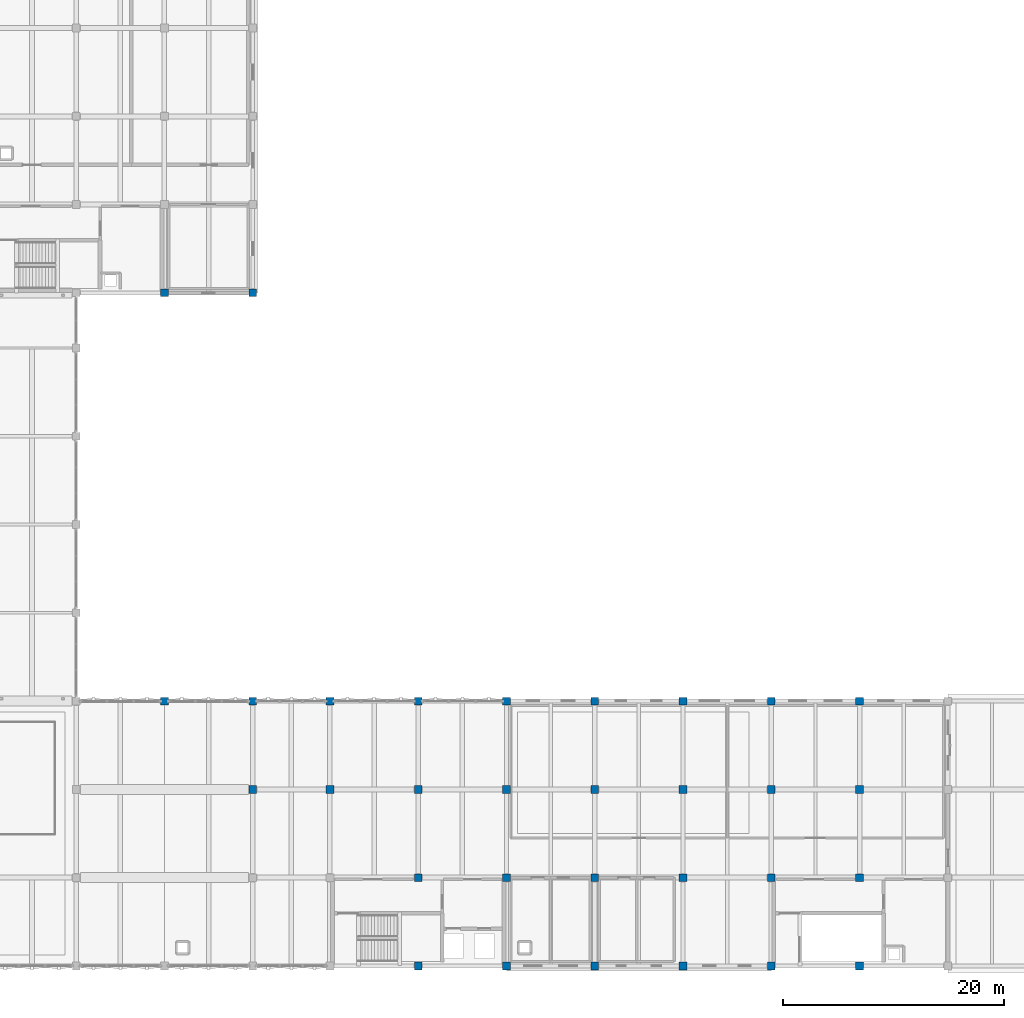
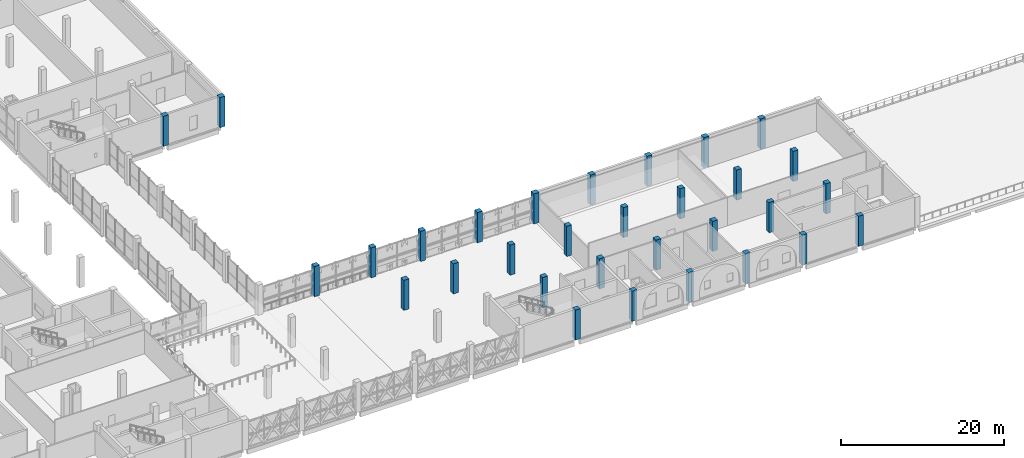
# One storey, part 2 of 45: 31 columns.
"""IFC4 building model written with IfcOpenShell, lengths in metres."""

from ifc_helpers import new_model, si_unit, direction, frame, origin, origin_2d, place, context, subcontext, project, spatial, rectangle, extrude, material, material_profile, profile_set, type_object, element, save


model = new_model("IFC4")

# Units and contexts
model_context = context("Model", 3, precision=1e-05, world=origin(), true_north=direction((0.0, 1.0)))
body_context = subcontext(model_context, "Body", "Model", "MODEL_VIEW")
ifc_project = project(units=[si_unit("LENGTHUNIT", "METRE"), si_unit("AREAUNIT", "SQUARE_METRE"), si_unit("VOLUMEUNIT", "CUBIC_METRE"), si_unit("PLANEANGLEUNIT", "RADIAN"), si_unit("MASSUNIT", "GRAM", prefix="KILO")], contexts=[model_context])

# Site, building, storey
site_placement = place(None, origin())
site = spatial("IfcSite", under=ifc_project, at=site_placement, CompositionType="ELEMENT")
building_placement = place(site_placement, origin())
building = spatial("IfcBuilding", under=site, at=building_placement, Name="Qorikala Patio Media Centre", CompositionType="ELEMENT")
storey_placement = place(building_placement, frame((0.0, 0.0, 9.89990234375)))
storey = spatial("IfcBuildingStorey", under=building, at=storey_placement, Name="L02", CompositionType="ELEMENT", Elevation=9.89990234375)

# Columns
ifc_material = material(Name="Concrete C35/45", Category="concrete")
ifc_material_profile_1 = material_profile(ifc_material, rectangle(XDim=0.699951171875, YDim=0.699951171875, at=origin_2d()), Name="RC 700x700")
ifc_profile_set_1 = profile_set([ifc_material_profile_1], Name="Concrete C35/45")
column_type_1 = type_object("IfcColumnType", Name="RC-COL-700-EXT", PredefinedType="COLUMN", material=ifc_profile_set_1)
for number, where, z_axis, x_axis, name in (
    (1, (67.0, 27.0, 0.0), (0.0, 0.0, 1.0), (1.0, 0.0, 0.0), "L02 Column (67,27)"),
    (2, (67.0, 64.0, 0.0), (0.0, 0.0, 1.0), (1.0, 0.0, 0.0), "L02 Column (67,64)"),
    (3, (75.0, 27.0, 0.0), (0.0, 0.0, 1.0), (1.0, 0.0, 0.0), "L02 Column (75,27)"),
    (4, (75.0, 64.0, 0.0), (0.0, 0.0, 1.0), (1.0, 0.0, 0.0), "L02 Column (75,64)"),
    (5, (82.0, 27.0, 0.0), (0.0, 0.0, 1.0), (1.0, 0.0, 0.0), "L02 Column (82,27)"),
    (6, (90.0, 3.0, 0.0), (0.0, 0.0, 1.0), (1.0, 0.0, 0.0), "L02 Column (90,3)"),
    (7, (90.0, 27.0, 0.0), (0.0, 0.0, 1.0), (1.0, 0.0, 0.0), "L02 Column (90,27)"),
    (8, (98.0, 3.0, 0.0), (0.0, 0.0, 1.0), (1.0, 0.0, 0.0), "L02 Column (98,3)"),
    (9, (98.0, 27.0, 0.0), (0.0, 0.0, 1.0), (1.0, 0.0, 0.0), "L02 Column (98,27)"),
    (10, (106.0, 3.0, 0.0), (0.0, 0.0, 1.0), (1.0, 0.0, 0.0), "L02 Column (106,3)"),
    (11, (106.0, 27.0, 0.0), (0.0, 0.0, 1.0), (1.0, 0.0, 0.0), "L02 Column (106,27)"),
    (12, (114.0, 3.0, 0.0), (0.0, 0.0, 1.0), (1.0, 0.0, 0.0), "L02 Column (114,3)"),
    (13, (114.0, 27.0, 0.0), (0.0, 0.0, 1.0), (1.0, 0.0, 0.0), "L02 Column (114,27)"),
    (14, (122.0, 3.0, 0.0), (0.0, 0.0, 1.0), (1.0, 0.0, 0.0), "L02 Column (122,3)"),
    (15, (122.0, 27.0, 0.0), (0.0, 0.0, 1.0), (1.0, 0.0, 0.0), "L02 Column (122,27)"),
    (16, (130.0, 3.0, 0.0), (0.0, 0.0, 1.0), (1.0, 0.0, 0.0), "L02 Column (130,3)"),
    (17, (130.0, 27.0, 0.0), (0.0, 0.0, 1.0), (1.0, 0.0, 0.0), "L02 Column (130,27)"),
):
    element("IfcColumn", number, at=place(storey_placement, frame(where, z_axis=z_axis, x_axis=x_axis)), inside=storey, type_object=column_type_1, Name=name, PredefinedType="COLUMN", context=body_context, shape_type="SweptSolid", body=[
        extrude(rectangle(XDim=0.699951171875, YDim=0.699951171875, at=origin_2d()), origin(), (0.0, 0.0, 1.0), 4.5),
    ])
ifc_material_profile_2 = material_profile(ifc_material, rectangle(XDim=0.699951171875, YDim=0.699951171875, at=origin_2d()), Name="RC 700x700")
ifc_profile_set_2 = profile_set([ifc_material_profile_2], Name="Concrete C35/45")
column_type_2 = type_object("IfcColumnType", Name="RC-COL-700-INT", PredefinedType="COLUMN", material=ifc_profile_set_2)
for number, where, z_axis, x_axis, name in (
    (18, (75.0, 19.0, 0.0), (0.0, 0.0, 1.0), (1.0, 0.0, 0.0), "L02 Column (75,19)"),
    (19, (82.0, 19.0, 0.0), (0.0, 0.0, 1.0), (1.0, 0.0, 0.0), "L02 Column (82,19)"),
    (20, (90.0, 11.0, 0.0), (0.0, 0.0, 1.0), (1.0, 0.0, 0.0), "L02 Column (90,11)"),
    (21, (90.0, 19.0, 0.0), (0.0, 0.0, 1.0), (1.0, 0.0, 0.0), "L02 Column (90,19)"),
    (22, (98.0, 11.0, 0.0), (0.0, 0.0, 1.0), (1.0, 0.0, 0.0), "L02 Column (98,11)"),
    (23, (98.0, 19.0, 0.0), (0.0, 0.0, 1.0), (1.0, 0.0, 0.0), "L02 Column (98,19)"),
    (24, (106.0, 11.0, 0.0), (0.0, 0.0, 1.0), (1.0, 0.0, 0.0), "L02 Column (106,11)"),
    (25, (106.0, 19.0, 0.0), (0.0, 0.0, 1.0), (1.0, 0.0, 0.0), "L02 Column (106,19)"),
    (26, (114.0, 11.0, 0.0), (0.0, 0.0, 1.0), (1.0, 0.0, 0.0), "L02 Column (114,11)"),
    (27, (114.0, 19.0, 0.0), (0.0, 0.0, 1.0), (1.0, 0.0, 0.0), "L02 Column (114,19)"),
    (28, (122.0, 11.0, 0.0), (0.0, 0.0, 1.0), (1.0, 0.0, 0.0), "L02 Column (122,11)"),
    (29, (122.0, 19.0, 0.0), (0.0, 0.0, 1.0), (1.0, 0.0, 0.0), "L02 Column (122,19)"),
    (30, (130.0, 11.0, 0.0), (0.0, 0.0, 1.0), (1.0, 0.0, 0.0), "L02 Column (130,11)"),
    (31, (130.0, 19.0, 0.0), (0.0, 0.0, 1.0), (1.0, 0.0, 0.0), "L02 Column (130,19)"),
):
    element("IfcColumn", number, at=place(storey_placement, frame(where, z_axis=z_axis, x_axis=x_axis)), inside=storey, type_object=column_type_2, Name=name, PredefinedType="COLUMN", context=body_context, shape_type="SweptSolid", body=[
        extrude(rectangle(XDim=0.699951171875, YDim=0.699951171875, at=origin_2d()), origin(), (0.0, 0.0, 1.0), 4.5),
    ])

save(model, "model.ifc")
